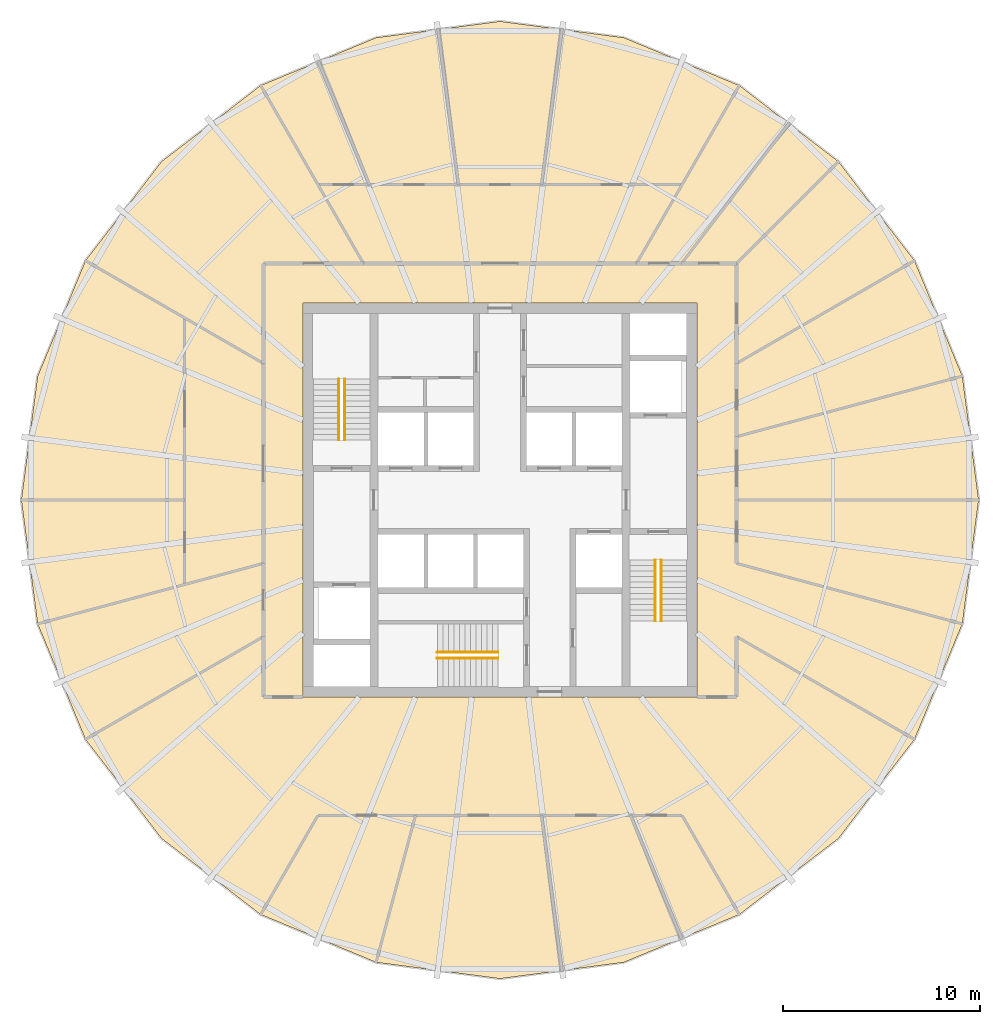
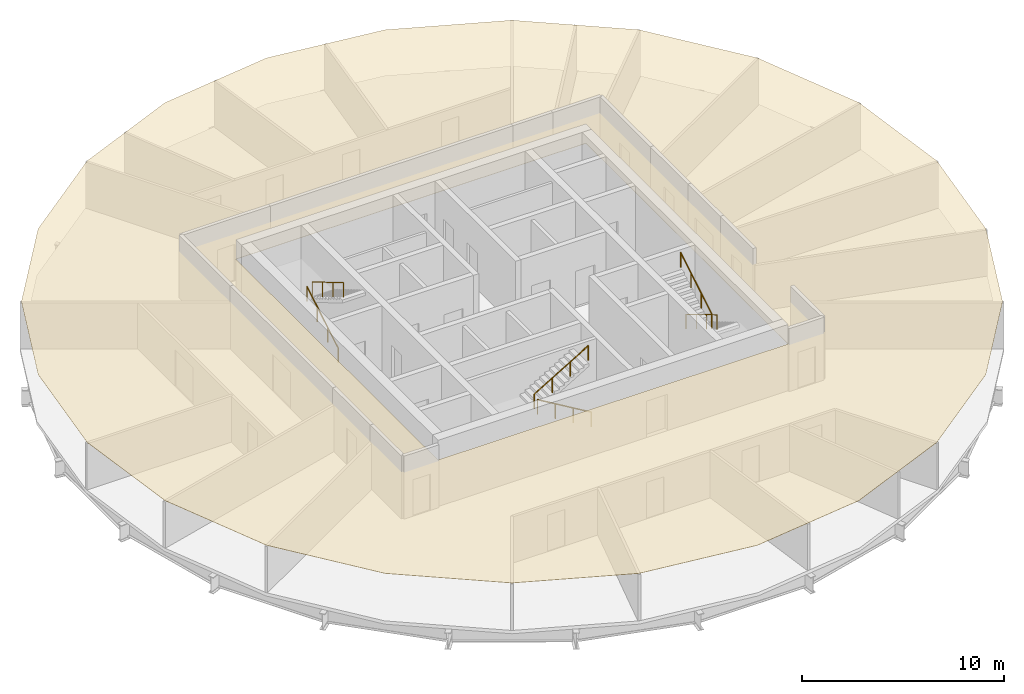
# One storey, part 6 of 6: 6 railings, 1 covering.
"""IFC4 building model written with IfcOpenShell, lengths in metres."""

from ifc_helpers import new_model, si_unit, direction, frame, origin, origin_2d, place, context, subcontext, project, spatial, polyline, circle, outline, extrude, material, layer, layer_set, type_object, element, save


model = new_model("IFC4")

# Units and contexts
model_context = context("Model", 3, precision=1e-05, world=origin(), true_north=direction((0.0, 1.0)))
body_context = subcontext(model_context, "Body", "Model", "MODEL_VIEW")
ifc_project = project(units=[si_unit("LENGTHUNIT", "METRE"), si_unit("AREAUNIT", "SQUARE_METRE"), si_unit("VOLUMEUNIT", "CUBIC_METRE"), si_unit("PLANEANGLEUNIT", "RADIAN"), si_unit("MASSUNIT", "GRAM", prefix="KILO")], contexts=[model_context])

# Site, building, storey
site_placement = place(None, origin())
site = spatial("IfcSite", under=ifc_project, at=site_placement, CompositionType="ELEMENT")
building_placement = place(site_placement, origin())
building = spatial("IfcBuilding", under=site, at=building_placement, Name="Golbaran Civic Tower", CompositionType="ELEMENT")
storey_placement = place(building_placement, frame((0.0, 0.0, 142.0)))
storey = spatial("IfcBuildingStorey", under=building, at=storey_placement, Name="L34", CompositionType="ELEMENT", Elevation=142.0)

# Railings
ifc_material_1 = material(Name="Stainless steel", Category="steel")
railing_type = type_object("IfcRailingType", Name="STAIR HANDRAIL 900", PredefinedType="HANDRAIL", material=ifc_material_1)
railing_1_placement = place(storey_placement, frame((-8.175048828125, 3.050048828125, 0.166748046875)))
element("IfcRailing", 1, at=railing_1_placement, inside=storey, type_object=railing_type, Name="Stair S1 handrail flight 1 L34", PredefinedType="HANDRAIL", context=body_context, shape_type="SweptSolid", body=[
    extrude(circle(Radius=0.02392578125, at=origin_2d()), frame((0.0, 0.0, 0.8759765625), z_axis=(0.0, 0.859290745958, 0.51148745235), x_axis=(-1.0, 0.0, 0.0)), (0.0, 0.0, 1.0), 3.584228515625),
    extrude(circle(Radius=0.02099609375, at=origin_2d()), origin(), (0.0, 0.0, 1.0), 0.851806640625),
    extrude(circle(Radius=0.02099609375, at=origin_2d()), frame((0.0, 1.026611328125, 0.611083984375)), (0.0, 0.0, 1.0), 0.851806640625),
    extrude(circle(Radius=0.02099609375, at=origin_2d()), frame((0.0, 2.05322265625, 1.22216796875)), (0.0, 0.0, 1.0), 0.851806640625),
    extrude(circle(Radius=0.02099609375, at=origin_2d()), frame((0.0, 3.079833984375, 1.833251953125)), (0.0, 0.0, 1.0), 0.851806640625),
])
for number, where, name in (
    (2, (-7.875, 6.1298828125, 2.166748046875), "Stair S1 handrail flight 2 L34"),
    (3, (8.175048828125, -3.050048828125, 0.166748046875), "Stair S2 handrail flight 1 L34"),
):
    element("IfcRailing", number, at=place(storey_placement, frame(where)), inside=storey, type_object=railing_type, Name=name, PredefinedType="HANDRAIL", context=body_context, shape_type="SweptSolid", body=[
        extrude(circle(Radius=0.02392578125, at=origin_2d()), frame((0.0, 0.0, 0.8759765625), z_axis=(0.0, -0.859290745958, 0.51148745235), x_axis=(1.0, 0.0, 0.0)), (0.0, 0.0, 1.0), 3.584228515625),
        extrude(circle(Radius=0.02099609375, at=origin_2d()), origin(), (0.0, 0.0, 1.0), 0.851806640625),
        extrude(circle(Radius=0.02099609375, at=origin_2d()), frame((0.0, -1.026611328125, 0.611083984375)), (0.0, 0.0, 1.0), 0.851806640625),
        extrude(circle(Radius=0.02099609375, at=origin_2d()), frame((0.0, -2.05322265625, 1.22216796875)), (0.0, 0.0, 1.0), 0.851806640625),
        extrude(circle(Radius=0.02099609375, at=origin_2d()), frame((0.0, -3.079833984375, 1.833251953125)), (0.0, 0.0, 1.0), 0.851806640625),
    ])
railing_2_placement = place(storey_placement, frame((7.875, -6.1298828125, 2.166748046875)))
element("IfcRailing", 4, at=railing_2_placement, inside=storey, type_object=railing_type, Name="Stair S2 handrail flight 2 L34", PredefinedType="HANDRAIL", context=body_context, shape_type="SweptSolid", body=[
    extrude(circle(Radius=0.02392578125, at=origin_2d()), frame((0.0, 0.0, 0.8759765625), z_axis=(0.0, 0.859290745958, 0.51148745235), x_axis=(-1.0, 0.0, 0.0)), (0.0, 0.0, 1.0), 3.584228515625),
    extrude(circle(Radius=0.02099609375, at=origin_2d()), origin(), (0.0, 0.0, 1.0), 0.851806640625),
    extrude(circle(Radius=0.02099609375, at=origin_2d()), frame((0.0, 1.026611328125, 0.611083984375)), (0.0, 0.0, 1.0), 0.851806640625),
    extrude(circle(Radius=0.02099609375, at=origin_2d()), frame((0.0, 2.05322265625, 1.22216796875)), (0.0, 0.0, 1.0), 0.851806640625),
    extrude(circle(Radius=0.02099609375, at=origin_2d()), frame((0.0, 3.079833984375, 1.833251953125)), (0.0, 0.0, 1.0), 0.851806640625),
])
railing_3_placement = place(storey_placement, frame((-0.10009765625, -8.02490234375, 0.166748046875)))
element("IfcRailing", 5, at=railing_3_placement, inside=storey, type_object=railing_type, Name="Stair S3 handrail flight 1 L34", PredefinedType="HANDRAIL", context=body_context, shape_type="SweptSolid", body=[
    extrude(circle(Radius=0.02392578125, at=origin_2d()), frame((0.0, 0.0, 0.8759765625), z_axis=(-0.859290745958, 0.0, 0.51148745235), x_axis=(0.0, -1.0, 0.0)), (0.0, 0.0, 1.0), 3.584228515625),
    extrude(circle(Radius=0.02099609375, at=origin_2d()), origin(), (0.0, 0.0, 1.0), 0.851806640625),
    extrude(circle(Radius=0.02099609375, at=origin_2d()), frame((-1.026611328125, 0.0, 0.611083984375)), (0.0, 0.0, 1.0), 0.851806640625),
    extrude(circle(Radius=0.02099609375, at=origin_2d()), frame((-2.05322265625, 0.0, 1.22216796875)), (0.0, 0.0, 1.0), 0.851806640625),
    extrude(circle(Radius=0.02099609375, at=origin_2d()), frame((-3.079833984375, 0.0, 1.833251953125)), (0.0, 0.0, 1.0), 0.851806640625),
])
railing_4_placement = place(storey_placement, frame((-3.179931640625, -7.72509765625, 2.166748046875)))
element("IfcRailing", 6, at=railing_4_placement, inside=storey, type_object=railing_type, Name="Stair S3 handrail flight 2 L34", PredefinedType="HANDRAIL", context=body_context, shape_type="SweptSolid", body=[
    extrude(circle(Radius=0.02392578125, at=origin_2d()), frame((0.0, 0.0, 0.8759765625), z_axis=(0.859290745958, 0.0, 0.51148745235), x_axis=(0.0, 1.0, 0.0)), (0.0, 0.0, 1.0), 3.584228515625),
    extrude(circle(Radius=0.02099609375, at=origin_2d()), origin(), (0.0, 0.0, 1.0), 0.851806640625),
    extrude(circle(Radius=0.02099609375, at=origin_2d()), frame((1.026611328125, 0.0, 0.611083984375)), (0.0, 0.0, 1.0), 0.851806640625),
    extrude(circle(Radius=0.02099609375, at=origin_2d()), frame((2.05322265625, 0.0, 1.22216796875)), (0.0, 0.0, 1.0), 0.851806640625),
    extrude(circle(Radius=0.02099609375, at=origin_2d()), frame((3.079833984375, 0.0, 1.833251953125)), (0.0, 0.0, 1.0), 0.851806640625),
])

# Covering
ifc_material_2 = material(Name="Mineral fibre tile on steel grid", Category="steel")
ifc_layer = layer(ifc_material_2, 0.02001953125, Name="Mineral fibre tile on steel grid")
ifc_layer_set = layer_set([ifc_layer], Name="Mineral fibre tile on steel grid")
covering_type = type_object("IfcCoveringType", Name="SUSPENDED CEILING 600 TILE 20", PredefinedType="CEILING", material=ifc_layer_set)
covering_placement = place(storey_placement, frame((0.0, 0.0, 2.800048828125)))
element("IfcCovering", 7, at=covering_placement, inside=storey, type_object=covering_type, Name="Suspended ceiling L34", PredefinedType="CEILING", context=body_context, shape_type="SweptSolid", body=[
    extrude(outline(polyline([(-17.1650390625, 17.1650390625), (-12.137451171875, 21.022705078125), (-6.28271484375, 23.44775390625), (0.0, 24.27490234375), (3.2900390625, 23.841796875), (6.28271484375, 23.44775390625), (12.137451171875, 21.022705078125), (17.1650390625, 17.1650390625), (21.022705078125, 12.137451171875), (23.44775390625, 6.28271484375), (24.27490234375, 0.0), (23.44775390625, -6.28271484375), (21.022705078125, -12.137451171875), (17.1650390625, -17.1650390625), (12.137451171875, -21.022705078125), (6.28271484375, -23.44775390625), (0.0, -24.27490234375), (-6.28271484375, -23.44775390625), (-12.137451171875, -21.022705078125), (-17.1650390625, -17.1650390625), (-21.022705078125, -12.137451171875), (-23.44775390625, -6.28271484375), (-24.27490234375, 0.0), (-23.44775390625, 6.28271484375), (-21.022705078125, 12.137451171875), (-17.1650390625, 17.1650390625)]), holes=[polyline([(-10.0, -10.0), (10.0, -10.0), (10.0, 10.0), (-10.0, 10.0), (-10.0, -10.0)])]), origin(), (0.0, 0.0, 1.0), 0.02001953125),
])

save(model, "model.ifc")
